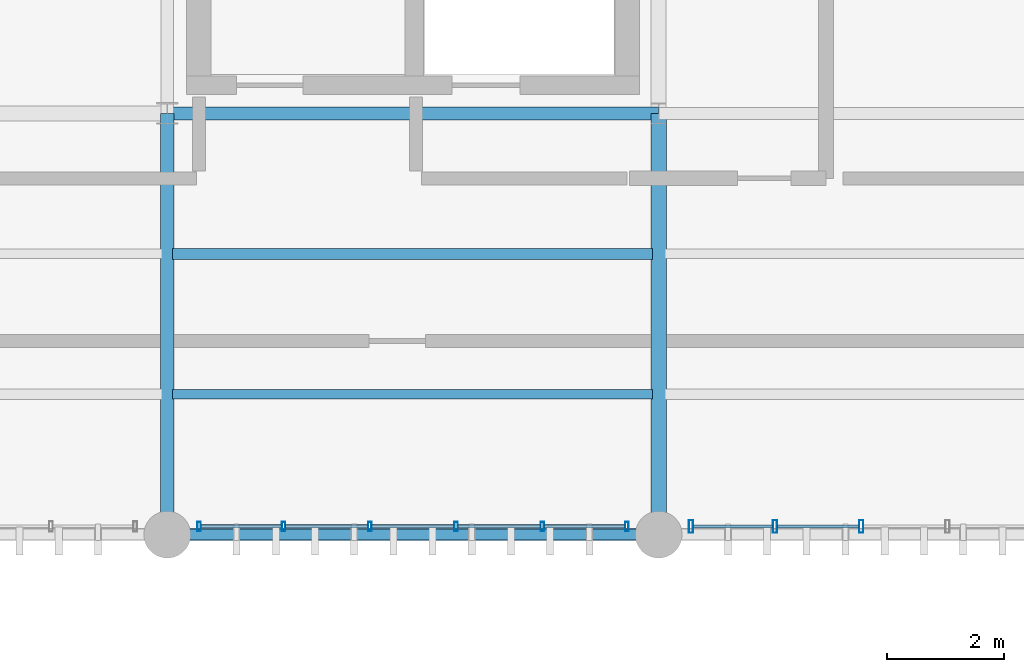
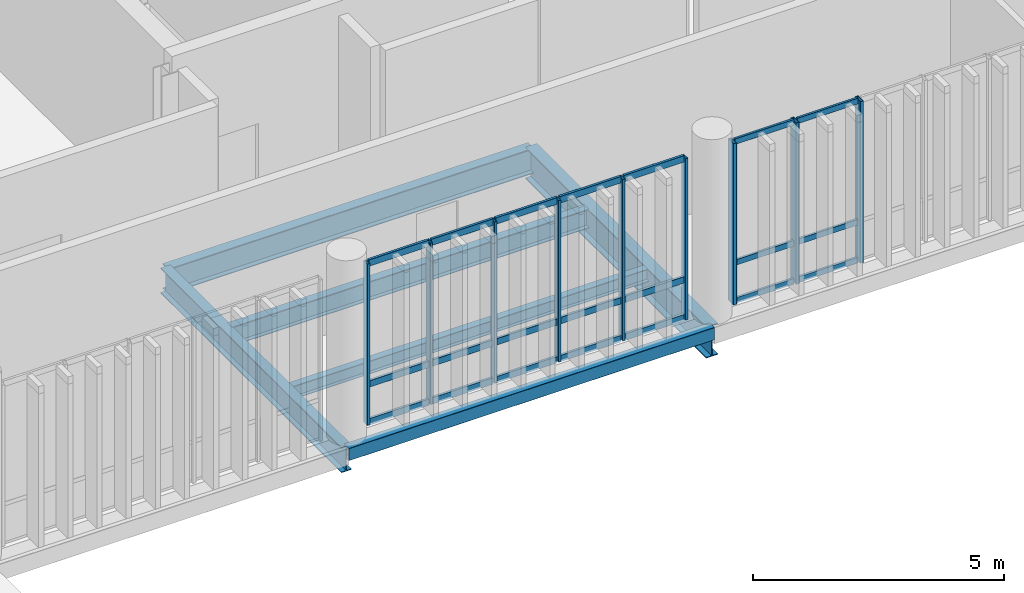
# One storey, part 20 of 68: 30 members, 6 beams, 2 elements without a shape of their own.
"""IFC4 building model written with IfcOpenShell, lengths in metres."""

from ifc_helpers import new_model, si_unit, direction, frame, origin_with_axes, origin_2d_with_axis, place, context, subcontext, project, spatial, hollow_rectangle, i_section, extrude, material, material_profile, profile_set, type_object, element, aggregate, save


model = new_model("IFC4")

# Units and contexts
model_context = context("Model", 3, precision=1e-05, world=origin_with_axes(), true_north=direction((0.0, 1.0)))
body_context = subcontext(model_context, "Body", "Model", "MODEL_VIEW")
ifc_project = project(units=[si_unit("LENGTHUNIT", "METRE"), si_unit("AREAUNIT", "SQUARE_METRE"), si_unit("VOLUMEUNIT", "CUBIC_METRE"), si_unit("PLANEANGLEUNIT", "RADIAN"), si_unit("MASSUNIT", "GRAM", prefix="KILO"), si_unit("THERMODYNAMICTEMPERATUREUNIT", "KELVIN")], contexts=[model_context])

# Site, building, storey
site_placement = place(None, origin_with_axes())
site = spatial("IfcSite", under=ifc_project, at=site_placement, CompositionType="ELEMENT")
building_placement = place(site_placement, origin_with_axes())
building = spatial("IfcBuilding", under=site, at=building_placement, Name="Montbau Bow Law Courts", CompositionType="ELEMENT")
storey_placement = place(building_placement, frame((0.0, 0.0, 20.4), z_axis=(0.0, 0.0, 1.0), x_axis=(1.0, 0.0, 0.0)))
storey = spatial("IfcBuildingStorey", under=building, at=storey_placement, Name="L04", CompositionType="ELEMENT", Elevation=20.4)

# Beams
ifc_material_1 = material(Name="Steel CSA G40.21 Grade 350W (350 MPa)", Category="steel")
ifc_material_profile_1 = material_profile(ifc_material_1, i_section(OverallWidth=0.267, OverallDepth=0.766, WebThickness=0.0149, FlangeThickness=0.0236, at=origin_2d_with_axis()), Name="W760X185", Category="Main", Priority=0)
ifc_profile_set_1 = profile_set([ifc_material_profile_1], Name="Steel CSA G40.21 Grade 350W (350 MPa)")
beam_type_1 = type_object("IfcBeamType", Name="B-FLR-03", PredefinedType="BEAM", material=ifc_profile_set_1)
beam_1_placement = place(None, frame((63.6, 39.0, 19.737), z_axis=(0.0, 1.0, 0.0), x_axis=(-1.0, 0.0, 0.0)))
element("IfcBeam", 1, at=beam_1_placement, inside=storey, type_object=beam_type_1, Name="BM-L04-S0943:bm2_0946", PredefinedType="BEAM", context=body_context, shape_type="SweptSolid", body=[
    extrude(i_section(OverallWidth=0.267, OverallDepth=0.766, WebThickness=0.0149, FlangeThickness=0.0236, at=origin_2d_with_axis()), origin_with_axes(), (0.0, 0.0, 1.0), 7.2),
])
ifc_material_profile_2 = material_profile(ifc_material_1, i_section(OverallWidth=0.229, OverallDepth=0.612, WebThickness=0.0119, FlangeThickness=0.0196, at=origin_2d_with_axis()), Name="W610X125", Category="Main", Priority=0)
ifc_profile_set_2 = profile_set([ifc_material_profile_2], Name="Steel CSA G40.21 Grade 350W (350 MPa)")
beam_type_2 = type_object("IfcBeamType", Name="B-FLR-05", PredefinedType="BEAM", material=ifc_profile_set_2)
beam_2_placement = place(None, frame((55.2, 46.2, 19.814), z_axis=(1.0, 0.0, 0.0), x_axis=(0.0, 1.0, 0.0)))
element("IfcBeam", 2, at=beam_2_placement, inside=storey, type_object=beam_type_2, Name="BM-L04-S0922:bm2_0925", PredefinedType="BEAM", context=body_context, shape_type="SweptSolid", body=[
    extrude(i_section(OverallWidth=0.229, OverallDepth=0.612, WebThickness=0.0119, FlangeThickness=0.0196, at=origin_2d_with_axis()), origin_with_axes(), (0.0, 0.0, 1.0), 8.4),
])
beam_3_placement = place(None, frame((55.2, 39.0, 19.814), z_axis=(0.0, 1.0, 0.0), x_axis=(-1.0, 0.0, 0.0)))
element("IfcBeam", 3, at=beam_3_placement, inside=storey, type_object=beam_type_2, Name="BM-L04-S0940:bm2_0943", PredefinedType="BEAM", context=body_context, shape_type="SweptSolid", body=[
    extrude(i_section(OverallWidth=0.229, OverallDepth=0.612, WebThickness=0.0119, FlangeThickness=0.0196, at=origin_2d_with_axis()), origin_with_axes(), (0.0, 0.0, 1.0), 7.2),
])
ifc_material_profile_3 = material_profile(ifc_material_1, i_section(OverallWidth=0.191, OverallDepth=0.46, WebThickness=0.0099, FlangeThickness=0.016, at=origin_2d_with_axis()), Name="W460X82", Category="Main", Priority=0)
ifc_profile_set_3 = profile_set([ifc_material_profile_3], Name="Steel CSA G40.21 Grade 350W (350 MPa)")
beam_type_3 = type_object("IfcBeamType", Name="B-JST-01", PredefinedType="JOIST", material=ifc_profile_set_3)
beam_4_placement = place(None, frame((55.291, 43.8, 19.89), z_axis=(1.0, 0.0, 0.0), x_axis=(0.0, 1.0, 0.0)))
element("IfcBeam", 4, at=beam_4_placement, inside=storey, type_object=beam_type_3, Name="JST-L04-S0480:jst2_0480", PredefinedType="JOIST", context=body_context, shape_type="SweptSolid", body=[
    extrude(i_section(OverallWidth=0.191, OverallDepth=0.46, WebThickness=0.0099, FlangeThickness=0.016, at=origin_2d_with_axis()), origin_with_axes(), (0.0, 0.0, 1.0), 8.2),
])
ifc_material_profile_4 = material_profile(ifc_material_1, i_section(OverallWidth=0.166, OverallDepth=0.313, WebThickness=0.0066, FlangeThickness=0.0112, at=origin_2d_with_axis()), Name="W310X45", Category="Main", Priority=0)
ifc_profile_set_4 = profile_set([ifc_material_profile_4], Name="Steel CSA G40.21 Grade 350W (350 MPa)")
beam_type_4 = type_object("IfcBeamType", Name="B-JST-04", PredefinedType="JOIST", material=ifc_profile_set_4)
beam_5_placement = place(None, frame((55.291, 41.4, 19.963), z_axis=(1.0, 0.0, 0.0), x_axis=(0.0, 1.0, 0.0)))
element("IfcBeam", 5, at=beam_5_placement, inside=storey, type_object=beam_type_4, Name="JST-L04-S0479:jst2_0479", PredefinedType="JOIST", context=body_context, shape_type="SweptSolid", body=[
    extrude(i_section(OverallWidth=0.166, OverallDepth=0.313, WebThickness=0.0066, FlangeThickness=0.0112, at=origin_2d_with_axis()), origin_with_axes(), (0.0, 0.0, 1.0), 8.2),
])
ifc_material_2 = material(Name="Steel CSA G40.21 Grade 350WT (350 MPa)", Category="steel")
ifc_material_profile_5 = material_profile(ifc_material_2, hollow_rectangle(XDim=0.203, YDim=0.305, WallThickness=0.0127, InnerFilletRadius=0.0254, OuterFilletRadius=0.0127, at=origin_2d_with_axis()), Name="HSS305X203X13", Category="Main", Priority=0)
ifc_profile_set_5 = profile_set([ifc_material_profile_5], Name="Steel CSA G40.21 Grade 350WT (350 MPa)")
beam_type_5 = type_object("IfcBeamType", Name="B-SPN-02", PredefinedType="SPANDREL", material=ifc_profile_set_5)
beam_6_placement = place(None, frame((55.2, 39.0, 19.968), z_axis=(1.0, 0.0, 0.0), x_axis=(0.0, 1.0, 0.0)))
element("IfcBeam", 6, at=beam_6_placement, inside=storey, type_object=beam_type_5, Name="SPN-L04-S0916:bm2_0919", PredefinedType="SPANDREL", context=body_context, shape_type="SweptSolid", body=[
    extrude(hollow_rectangle(XDim=0.203, YDim=0.305, WallThickness=0.0127, InnerFilletRadius=0.0254, OuterFilletRadius=0.0127, at=origin_2d_with_axis()), origin_with_axes(), (0.0, 0.0, 1.0), 8.4),
])

# Curtain wall, members
ifc_material_3 = material(Name="Thermally Broken Extruded Aluminium AA 6063-T6", Category="aluminium")
curtain_wall_type = type_object("IfcCurtainWallType", Name="CW-CRM-01", PredefinedType="NOTDEFINED", material=ifc_material_3)
curtain_wall_1_placement = place(None, frame((64.115, 39.14, 20.4), z_axis=(0.0, 0.0, 1.0), x_axis=(1.0, 0.0, 0.0)))
curtain_wall_1 = element("IfcCurtainWall", 7, at=curtain_wall_1_placement, inside=storey, type_object=curtain_wall_type, Name="CW-L04-195:cw_0195", PredefinedType="NOTDEFINED")
ifc_material_profile_6 = material_profile(ifc_material_3, hollow_rectangle(XDim=0.075, YDim=0.22, WallThickness=0.005, InnerFilletRadius=0.01, OuterFilletRadius=0.005, at=origin_2d_with_axis()), Name="CWM-220X75", Category="Main", Priority=0)
ifc_profile_set_6 = profile_set([ifc_material_profile_6], Name="Thermally Broken Extruded Aluminium AA 6063-T6")
member_type_1 = type_object("IfcMemberType", Name="M-MUL-01", PredefinedType="MULLION", material=ifc_profile_set_6)
member_1_placement = place(None, frame((64.152, 39.14, 20.4), z_axis=(0.0, 0.0, 1.0), x_axis=(1.0, 0.0, 0.0)))
member_1 = element("IfcMember", 8, at=member_1_placement, type_object=member_type_1, Name="CW-L04-195-M01:cw_0195_M01", PredefinedType="MULLION", context=body_context, shape_type="SweptSolid", body=[
    extrude(hollow_rectangle(XDim=0.075, YDim=0.22, WallThickness=0.005, InnerFilletRadius=0.01, OuterFilletRadius=0.005, at=origin_2d_with_axis()), origin_with_axes(), (0.0, 0.0, 1.0), 3.92),
])
member_2_placement = place(None, frame((65.589, 39.14, 20.4), z_axis=(0.0, 0.0, 1.0), x_axis=(1.0, 0.0, 0.0)))
member_2 = element("IfcMember", 9, at=member_2_placement, type_object=member_type_1, Name="CW-L04-195-M02:cw_0195_M02", PredefinedType="MULLION", context=body_context, shape_type="SweptSolid", body=[
    extrude(hollow_rectangle(XDim=0.075, YDim=0.22, WallThickness=0.005, InnerFilletRadius=0.01, OuterFilletRadius=0.005, at=origin_2d_with_axis()), origin_with_axes(), (0.0, 0.0, 1.0), 3.92),
])
member_3_placement = place(None, frame((67.063, 39.14, 20.4), z_axis=(0.0, 0.0, 1.0), x_axis=(1.0, 0.0, 0.0)))
member_3 = element("IfcMember", 10, at=member_3_placement, type_object=member_type_1, Name="CW-L04-195-M03:cw_0195_M03", PredefinedType="MULLION", context=body_context, shape_type="SweptSolid", body=[
    extrude(hollow_rectangle(XDim=0.075, YDim=0.22, WallThickness=0.005, InnerFilletRadius=0.01, OuterFilletRadius=0.005, at=origin_2d_with_axis()), origin_with_axes(), (0.0, 0.0, 1.0), 3.92),
])

curtain_wall_2_placement = place(None, frame((55.715, 39.14, 20.4), z_axis=(0.0, 0.0, 1.0), x_axis=(1.0, 0.0, 0.0)))
curtain_wall_2 = element("IfcCurtainWall", 11, at=curtain_wall_2_placement, inside=storey, type_object=curtain_wall_type, Name="CW-L04-194:cw_0194", PredefinedType="NOTDEFINED")
ifc_material_profile_7 = material_profile(ifc_material_3, hollow_rectangle(XDim=0.06, YDim=0.16, WallThickness=0.004, InnerFilletRadius=0.008, OuterFilletRadius=0.004, at=origin_2d_with_axis()), Name="CWM-160X60", Category="Main", Priority=0)
ifc_profile_set_7 = profile_set([ifc_material_profile_7], Name="Thermally Broken Extruded Aluminium AA 6063-T6")
member_type_2 = type_object("IfcMemberType", Name="M-MUL-03", PredefinedType="MULLION", material=ifc_profile_set_7)
member_4_placement = place(None, frame((55.745, 39.14, 20.4), z_axis=(0.0, 0.0, 1.0), x_axis=(1.0, 0.0, 0.0)))
member_4 = element("IfcMember", 12, at=member_4_placement, type_object=member_type_2, Name="CW-L04-194-M01:cw_0194_M01", PredefinedType="MULLION", context=body_context, shape_type="SweptSolid", body=[
    extrude(hollow_rectangle(XDim=0.06, YDim=0.16, WallThickness=0.004, InnerFilletRadius=0.008, OuterFilletRadius=0.004, at=origin_2d_with_axis()), origin_with_axes(), (0.0, 0.0, 1.0), 3.92),
])
member_5_placement = place(None, frame((57.189, 39.14, 20.4), z_axis=(0.0, 0.0, 1.0), x_axis=(1.0, 0.0, 0.0)))
member_5 = element("IfcMember", 13, at=member_5_placement, type_object=member_type_2, Name="CW-L04-194-M02:cw_0194_M02", PredefinedType="MULLION", context=body_context, shape_type="SweptSolid", body=[
    extrude(hollow_rectangle(XDim=0.06, YDim=0.16, WallThickness=0.004, InnerFilletRadius=0.008, OuterFilletRadius=0.004, at=origin_2d_with_axis()), origin_with_axes(), (0.0, 0.0, 1.0), 3.92),
])
member_6_placement = place(None, frame((58.663, 39.14, 20.4), z_axis=(0.0, 0.0, 1.0), x_axis=(1.0, 0.0, 0.0)))
member_6 = element("IfcMember", 14, at=member_6_placement, type_object=member_type_2, Name="CW-L04-194-M03:cw_0194_M03", PredefinedType="MULLION", context=body_context, shape_type="SweptSolid", body=[
    extrude(hollow_rectangle(XDim=0.06, YDim=0.16, WallThickness=0.004, InnerFilletRadius=0.008, OuterFilletRadius=0.004, at=origin_2d_with_axis()), origin_with_axes(), (0.0, 0.0, 1.0), 3.92),
])
member_7_placement = place(None, frame((60.137, 39.14, 20.4), z_axis=(0.0, 0.0, 1.0), x_axis=(1.0, 0.0, 0.0)))
member_7 = element("IfcMember", 15, at=member_7_placement, type_object=member_type_2, Name="CW-L04-194-M04:cw_0194_M04", PredefinedType="MULLION", context=body_context, shape_type="SweptSolid", body=[
    extrude(hollow_rectangle(XDim=0.06, YDim=0.16, WallThickness=0.004, InnerFilletRadius=0.008, OuterFilletRadius=0.004, at=origin_2d_with_axis()), origin_with_axes(), (0.0, 0.0, 1.0), 3.92),
])
member_8_placement = place(None, frame((61.611, 39.14, 20.4), z_axis=(0.0, 0.0, 1.0), x_axis=(1.0, 0.0, 0.0)))
member_8 = element("IfcMember", 16, at=member_8_placement, type_object=member_type_2, Name="CW-L04-194-M05:cw_0194_M05", PredefinedType="MULLION", context=body_context, shape_type="SweptSolid", body=[
    extrude(hollow_rectangle(XDim=0.06, YDim=0.16, WallThickness=0.004, InnerFilletRadius=0.008, OuterFilletRadius=0.004, at=origin_2d_with_axis()), origin_with_axes(), (0.0, 0.0, 1.0), 3.92),
])
member_9_placement = place(None, frame((63.055, 39.14, 20.4), z_axis=(0.0, 0.0, 1.0), x_axis=(1.0, 0.0, 0.0)))
member_9 = element("IfcMember", 17, at=member_9_placement, type_object=member_type_2, Name="CW-L04-194-M06:cw_0194_M06", PredefinedType="MULLION", context=body_context, shape_type="SweptSolid", body=[
    extrude(hollow_rectangle(XDim=0.06, YDim=0.16, WallThickness=0.004, InnerFilletRadius=0.008, OuterFilletRadius=0.004, at=origin_2d_with_axis()), origin_with_axes(), (0.0, 0.0, 1.0), 3.92),
])
ifc_material_profile_8 = material_profile(ifc_material_3, hollow_rectangle(XDim=0.06, YDim=0.16, WallThickness=0.004, InnerFilletRadius=0.008, OuterFilletRadius=0.004, at=origin_2d_with_axis()), Name="CWT-160X60", Category="Main", Priority=0)
ifc_profile_set_8 = profile_set([ifc_material_profile_8], Name="Thermally Broken Extruded Aluminium AA 6063-T6")
member_type_3 = type_object("IfcMemberType", Name="M-TRN-01", PredefinedType="USERDEFINED", material=ifc_profile_set_8)
member_10_placement = place(None, frame((55.777, 39.14, 20.43), z_axis=(1.0, 0.0, 0.0), x_axis=(0.0, 1.0, 0.0)))
member_10 = element("IfcMember", 18, at=member_10_placement, type_object=member_type_3, Name="CW-L04-194-T01-1:cw_0194_T01_1", ObjectType="TRANSOM", PredefinedType="USERDEFINED", context=body_context, shape_type="SweptSolid", body=[
    extrude(hollow_rectangle(XDim=0.06, YDim=0.16, WallThickness=0.004, InnerFilletRadius=0.008, OuterFilletRadius=0.004, at=origin_2d_with_axis()), origin_with_axes(), (0.0, 0.0, 1.0), 1.38),
])
member_11_placement = place(None, frame((55.777, 39.14, 21.35), z_axis=(1.0, 0.0, 0.0), x_axis=(0.0, 1.0, 0.0)))
member_11 = element("IfcMember", 19, at=member_11_placement, type_object=member_type_3, Name="CW-L04-194-T01-2:cw_0194_T01_2", ObjectType="TRANSOM", PredefinedType="USERDEFINED", context=body_context, shape_type="SweptSolid", body=[
    extrude(hollow_rectangle(XDim=0.06, YDim=0.16, WallThickness=0.004, InnerFilletRadius=0.008, OuterFilletRadius=0.004, at=origin_2d_with_axis()), origin_with_axes(), (0.0, 0.0, 1.0), 1.38),
])
member_12_placement = place(None, frame((55.777, 39.14, 24.29), z_axis=(1.0, 0.0, 0.0), x_axis=(0.0, 1.0, 0.0)))
member_12 = element("IfcMember", 20, at=member_12_placement, type_object=member_type_3, Name="CW-L04-194-T01-3:cw_0194_T01_3", ObjectType="TRANSOM", PredefinedType="USERDEFINED", context=body_context, shape_type="SweptSolid", body=[
    extrude(hollow_rectangle(XDim=0.06, YDim=0.16, WallThickness=0.004, InnerFilletRadius=0.008, OuterFilletRadius=0.004, at=origin_2d_with_axis()), origin_with_axes(), (0.0, 0.0, 1.0), 1.38),
])
member_13_placement = place(None, frame((57.221, 39.14, 20.43), z_axis=(1.0, 0.0, 0.0), x_axis=(0.0, 1.0, 0.0)))
member_13 = element("IfcMember", 21, at=member_13_placement, type_object=member_type_3, Name="CW-L04-194-T02-1:cw_0194_T02_1", ObjectType="TRANSOM", PredefinedType="USERDEFINED", context=body_context, shape_type="SweptSolid", body=[
    extrude(hollow_rectangle(XDim=0.06, YDim=0.16, WallThickness=0.004, InnerFilletRadius=0.008, OuterFilletRadius=0.004, at=origin_2d_with_axis()), origin_with_axes(), (0.0, 0.0, 1.0), 1.41),
])
member_14_placement = place(None, frame((57.221, 39.14, 21.35), z_axis=(1.0, 0.0, 0.0), x_axis=(0.0, 1.0, 0.0)))
member_14 = element("IfcMember", 22, at=member_14_placement, type_object=member_type_3, Name="CW-L04-194-T02-2:cw_0194_T02_2", ObjectType="TRANSOM", PredefinedType="USERDEFINED", context=body_context, shape_type="SweptSolid", body=[
    extrude(hollow_rectangle(XDim=0.06, YDim=0.16, WallThickness=0.004, InnerFilletRadius=0.008, OuterFilletRadius=0.004, at=origin_2d_with_axis()), origin_with_axes(), (0.0, 0.0, 1.0), 1.41),
])
member_15_placement = place(None, frame((57.221, 39.14, 24.29), z_axis=(1.0, 0.0, 0.0), x_axis=(0.0, 1.0, 0.0)))
member_15 = element("IfcMember", 23, at=member_15_placement, type_object=member_type_3, Name="CW-L04-194-T02-3:cw_0194_T02_3", ObjectType="TRANSOM", PredefinedType="USERDEFINED", context=body_context, shape_type="SweptSolid", body=[
    extrude(hollow_rectangle(XDim=0.06, YDim=0.16, WallThickness=0.004, InnerFilletRadius=0.008, OuterFilletRadius=0.004, at=origin_2d_with_axis()), origin_with_axes(), (0.0, 0.0, 1.0), 1.41),
])
member_16_placement = place(None, frame((58.695, 39.14, 20.43), z_axis=(1.0, 0.0, 0.0), x_axis=(0.0, 1.0, 0.0)))
member_16 = element("IfcMember", 24, at=member_16_placement, type_object=member_type_3, Name="CW-L04-194-T03-1:cw_0194_T03_1", ObjectType="TRANSOM", PredefinedType="USERDEFINED", context=body_context, shape_type="SweptSolid", body=[
    extrude(hollow_rectangle(XDim=0.06, YDim=0.16, WallThickness=0.004, InnerFilletRadius=0.008, OuterFilletRadius=0.004, at=origin_2d_with_axis()), origin_with_axes(), (0.0, 0.0, 1.0), 1.41),
])
member_17_placement = place(None, frame((58.695, 39.14, 21.35), z_axis=(1.0, 0.0, 0.0), x_axis=(0.0, 1.0, 0.0)))
member_17 = element("IfcMember", 25, at=member_17_placement, type_object=member_type_3, Name="CW-L04-194-T03-2:cw_0194_T03_2", ObjectType="TRANSOM", PredefinedType="USERDEFINED", context=body_context, shape_type="SweptSolid", body=[
    extrude(hollow_rectangle(XDim=0.06, YDim=0.16, WallThickness=0.004, InnerFilletRadius=0.008, OuterFilletRadius=0.004, at=origin_2d_with_axis()), origin_with_axes(), (0.0, 0.0, 1.0), 1.41),
])
member_18_placement = place(None, frame((58.695, 39.14, 24.29), z_axis=(1.0, 0.0, 0.0), x_axis=(0.0, 1.0, 0.0)))
member_18 = element("IfcMember", 26, at=member_18_placement, type_object=member_type_3, Name="CW-L04-194-T03-3:cw_0194_T03_3", ObjectType="TRANSOM", PredefinedType="USERDEFINED", context=body_context, shape_type="SweptSolid", body=[
    extrude(hollow_rectangle(XDim=0.06, YDim=0.16, WallThickness=0.004, InnerFilletRadius=0.008, OuterFilletRadius=0.004, at=origin_2d_with_axis()), origin_with_axes(), (0.0, 0.0, 1.0), 1.41),
])
member_19_placement = place(None, frame((60.169, 39.14, 20.43), z_axis=(1.0, 0.0, 0.0), x_axis=(0.0, 1.0, 0.0)))
member_19 = element("IfcMember", 27, at=member_19_placement, type_object=member_type_3, Name="CW-L04-194-T04-1:cw_0194_T04_1", ObjectType="TRANSOM", PredefinedType="USERDEFINED", context=body_context, shape_type="SweptSolid", body=[
    extrude(hollow_rectangle(XDim=0.06, YDim=0.16, WallThickness=0.004, InnerFilletRadius=0.008, OuterFilletRadius=0.004, at=origin_2d_with_axis()), origin_with_axes(), (0.0, 0.0, 1.0), 1.41),
])
member_20_placement = place(None, frame((60.169, 39.14, 21.35), z_axis=(1.0, 0.0, 0.0), x_axis=(0.0, 1.0, 0.0)))
member_20 = element("IfcMember", 28, at=member_20_placement, type_object=member_type_3, Name="CW-L04-194-T04-2:cw_0194_T04_2", ObjectType="TRANSOM", PredefinedType="USERDEFINED", context=body_context, shape_type="SweptSolid", body=[
    extrude(hollow_rectangle(XDim=0.06, YDim=0.16, WallThickness=0.004, InnerFilletRadius=0.008, OuterFilletRadius=0.004, at=origin_2d_with_axis()), origin_with_axes(), (0.0, 0.0, 1.0), 1.41),
])
member_21_placement = place(None, frame((60.169, 39.14, 24.29), z_axis=(1.0, 0.0, 0.0), x_axis=(0.0, 1.0, 0.0)))
member_21 = element("IfcMember", 29, at=member_21_placement, type_object=member_type_3, Name="CW-L04-194-T04-3:cw_0194_T04_3", ObjectType="TRANSOM", PredefinedType="USERDEFINED", context=body_context, shape_type="SweptSolid", body=[
    extrude(hollow_rectangle(XDim=0.06, YDim=0.16, WallThickness=0.004, InnerFilletRadius=0.008, OuterFilletRadius=0.004, at=origin_2d_with_axis()), origin_with_axes(), (0.0, 0.0, 1.0), 1.41),
])
member_22_placement = place(None, frame((61.643, 39.14, 20.43), z_axis=(1.0, 0.0, 0.0), x_axis=(0.0, 1.0, 0.0)))
member_22 = element("IfcMember", 30, at=member_22_placement, type_object=member_type_3, Name="CW-L04-194-T05-1:cw_0194_T05_1", ObjectType="TRANSOM", PredefinedType="USERDEFINED", context=body_context, shape_type="SweptSolid", body=[
    extrude(hollow_rectangle(XDim=0.06, YDim=0.16, WallThickness=0.004, InnerFilletRadius=0.008, OuterFilletRadius=0.004, at=origin_2d_with_axis()), origin_with_axes(), (0.0, 0.0, 1.0), 1.38),
])
member_23_placement = place(None, frame((61.643, 39.14, 21.35), z_axis=(1.0, 0.0, 0.0), x_axis=(0.0, 1.0, 0.0)))
member_23 = element("IfcMember", 31, at=member_23_placement, type_object=member_type_3, Name="CW-L04-194-T05-2:cw_0194_T05_2", ObjectType="TRANSOM", PredefinedType="USERDEFINED", context=body_context, shape_type="SweptSolid", body=[
    extrude(hollow_rectangle(XDim=0.06, YDim=0.16, WallThickness=0.004, InnerFilletRadius=0.008, OuterFilletRadius=0.004, at=origin_2d_with_axis()), origin_with_axes(), (0.0, 0.0, 1.0), 1.38),
])
member_24_placement = place(None, frame((61.643, 39.14, 24.29), z_axis=(1.0, 0.0, 0.0), x_axis=(0.0, 1.0, 0.0)))
member_24 = element("IfcMember", 32, at=member_24_placement, type_object=member_type_3, Name="CW-L04-194-T05-3:cw_0194_T05_3", ObjectType="TRANSOM", PredefinedType="USERDEFINED", context=body_context, shape_type="SweptSolid", body=[
    extrude(hollow_rectangle(XDim=0.06, YDim=0.16, WallThickness=0.004, InnerFilletRadius=0.008, OuterFilletRadius=0.004, at=origin_2d_with_axis()), origin_with_axes(), (0.0, 0.0, 1.0), 1.38),
])
aggregate(curtain_wall_2, [member_4, member_5, member_6, member_7, member_8, member_9, member_10, member_11, member_12, member_13, member_14, member_15, member_16, member_17, member_18, member_19, member_20, member_21, member_22, member_23, member_24])

# Member
ifc_material_profile_9 = material_profile(ifc_material_3, hollow_rectangle(XDim=0.055, YDim=0.14, WallThickness=0.004, InnerFilletRadius=0.008, OuterFilletRadius=0.004, at=origin_2d_with_axis()), Name="CWT-140X55", Category="Main", Priority=0)
ifc_profile_set_9 = profile_set([ifc_material_profile_9], Name="Thermally Broken Extruded Aluminium AA 6063-T6")
member_type_4 = type_object("IfcMemberType", Name="M-TRN-02", PredefinedType="USERDEFINED", material=ifc_profile_set_9)
member_25_placement = place(None, frame((64.191, 39.14, 20.427), z_axis=(1.0, 0.0, 0.0), x_axis=(0.0, 1.0, 0.0)))
member_25 = element("IfcMember", 33, at=member_25_placement, type_object=member_type_4, Name="CW-L04-195-T01-1:cw_0195_T01_1", ObjectType="TRANSOM", PredefinedType="USERDEFINED", context=body_context, shape_type="SweptSolid", body=[
    extrude(hollow_rectangle(XDim=0.055, YDim=0.14, WallThickness=0.004, InnerFilletRadius=0.008, OuterFilletRadius=0.004, at=origin_2d_with_axis()), origin_with_axes(), (0.0, 0.0, 1.0), 1.358),
])

member_26_placement = place(None, frame((64.191, 39.14, 21.35), z_axis=(1.0, 0.0, 0.0), x_axis=(0.0, 1.0, 0.0)))
member_26 = element("IfcMember", 34, at=member_26_placement, type_object=member_type_4, Name="CW-L04-195-T01-2:cw_0195_T01_2", ObjectType="TRANSOM", PredefinedType="USERDEFINED", context=body_context, shape_type="SweptSolid", body=[
    extrude(hollow_rectangle(XDim=0.055, YDim=0.14, WallThickness=0.004, InnerFilletRadius=0.008, OuterFilletRadius=0.004, at=origin_2d_with_axis()), origin_with_axes(), (0.0, 0.0, 1.0), 1.358),
])

member_27_placement = place(None, frame((64.191, 39.14, 24.293), z_axis=(1.0, 0.0, 0.0), x_axis=(0.0, 1.0, 0.0)))
member_27 = element("IfcMember", 35, at=member_27_placement, type_object=member_type_4, Name="CW-L04-195-T01-3:cw_0195_T01_3", ObjectType="TRANSOM", PredefinedType="USERDEFINED", context=body_context, shape_type="SweptSolid", body=[
    extrude(hollow_rectangle(XDim=0.055, YDim=0.14, WallThickness=0.004, InnerFilletRadius=0.008, OuterFilletRadius=0.004, at=origin_2d_with_axis()), origin_with_axes(), (0.0, 0.0, 1.0), 1.358),
])

member_28_placement = place(None, frame((65.629, 39.14, 20.427), z_axis=(1.0, 0.0, 0.0), x_axis=(0.0, 1.0, 0.0)))
member_28 = element("IfcMember", 36, at=member_28_placement, type_object=member_type_4, Name="CW-L04-195-T02-1:cw_0195_T02_1", ObjectType="TRANSOM", PredefinedType="USERDEFINED", context=body_context, shape_type="SweptSolid", body=[
    extrude(hollow_rectangle(XDim=0.055, YDim=0.14, WallThickness=0.004, InnerFilletRadius=0.008, OuterFilletRadius=0.004, at=origin_2d_with_axis()), origin_with_axes(), (0.0, 0.0, 1.0), 1.395),
])

member_29_placement = place(None, frame((65.629, 39.14, 21.35), z_axis=(1.0, 0.0, 0.0), x_axis=(0.0, 1.0, 0.0)))
member_29 = element("IfcMember", 37, at=member_29_placement, type_object=member_type_4, Name="CW-L04-195-T02-2:cw_0195_T02_2", ObjectType="TRANSOM", PredefinedType="USERDEFINED", context=body_context, shape_type="SweptSolid", body=[
    extrude(hollow_rectangle(XDim=0.055, YDim=0.14, WallThickness=0.004, InnerFilletRadius=0.008, OuterFilletRadius=0.004, at=origin_2d_with_axis()), origin_with_axes(), (0.0, 0.0, 1.0), 1.395),
])

member_30_placement = place(None, frame((65.629, 39.14, 24.293), z_axis=(1.0, 0.0, 0.0), x_axis=(0.0, 1.0, 0.0)))
member_30 = element("IfcMember", 38, at=member_30_placement, type_object=member_type_4, Name="CW-L04-195-T02-3:cw_0195_T02_3", ObjectType="TRANSOM", PredefinedType="USERDEFINED", context=body_context, shape_type="SweptSolid", body=[
    extrude(hollow_rectangle(XDim=0.055, YDim=0.14, WallThickness=0.004, InnerFilletRadius=0.008, OuterFilletRadius=0.004, at=origin_2d_with_axis()), origin_with_axes(), (0.0, 0.0, 1.0), 1.395),
])

aggregate(curtain_wall_1, [member_1, member_2, member_3, member_25, member_26, member_27, member_28, member_29, member_30])

save(model, "model.ifc")
